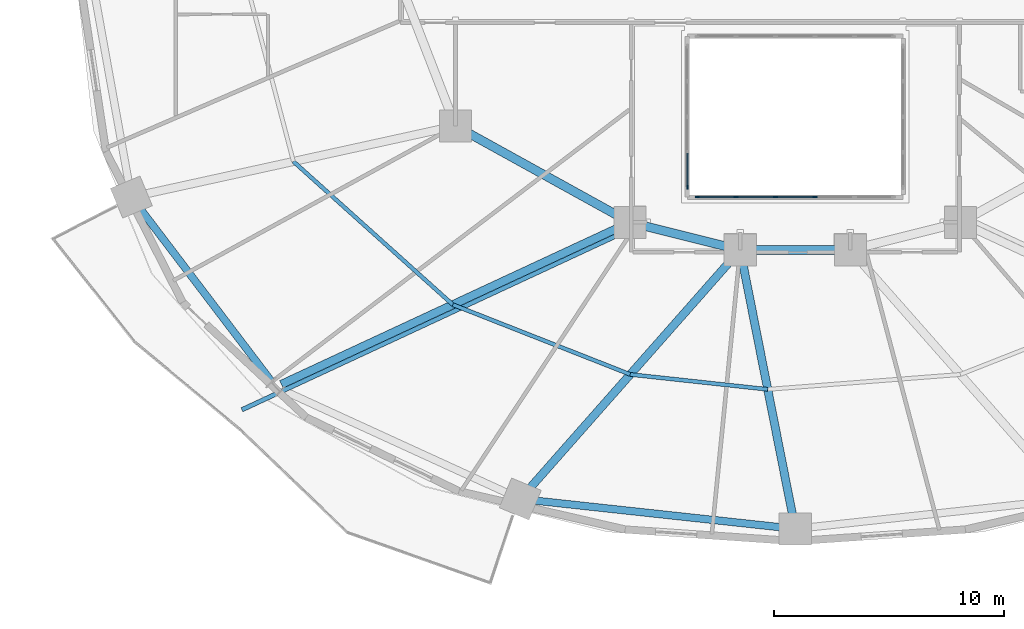
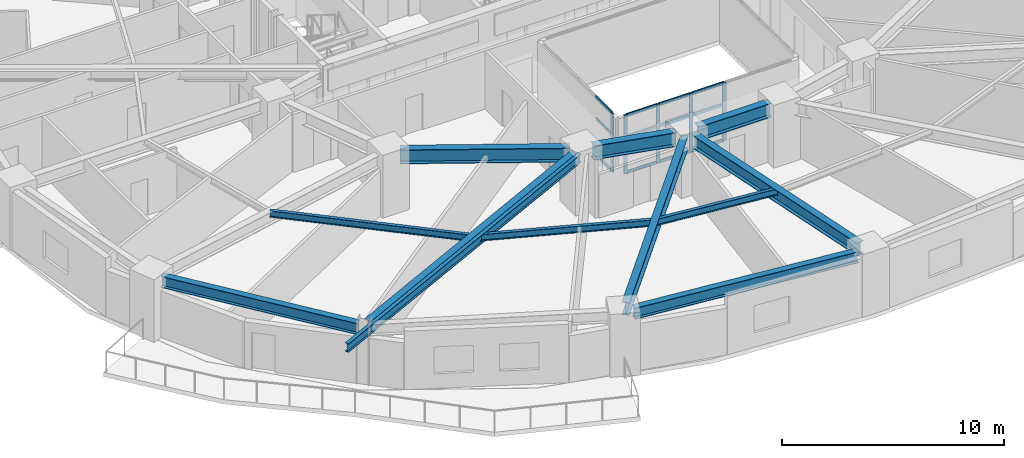
# One storey, part 3 of 17: 17 members, 12 beams, 2 elements without a shape of their own.
"""IFC4 building model written with IfcOpenShell, lengths in metres."""

from ifc_helpers import new_model, si_unit, direction, frame, origin, origin_2d, place, context, subcontext, project, spatial, rectangle, i_section, extrude, material, material_profile, profile_set, type_object, element, aggregate, save


model = new_model("IFC4")

# Units and contexts
model_context = context("Model", 3, precision=1e-05, world=origin(), true_north=direction((0.0, 1.0)))
body_context = subcontext(model_context, "Body", "Model", "MODEL_VIEW")
ifc_project = project(units=[si_unit("LENGTHUNIT", "METRE"), si_unit("AREAUNIT", "SQUARE_METRE"), si_unit("VOLUMEUNIT", "CUBIC_METRE"), si_unit("PLANEANGLEUNIT", "RADIAN"), si_unit("MASSUNIT", "GRAM", prefix="KILO")], contexts=[model_context])

# Site, building, storey
site_placement = place(None, origin())
site = spatial("IfcSite", under=ifc_project, at=site_placement, CompositionType="ELEMENT")
building_placement = place(site_placement, origin())
building = spatial("IfcBuilding", under=site, at=building_placement, Name="Haldorwick Loom Tower", CompositionType="ELEMENT")
storey_placement = place(building_placement, frame((0.0, 0.0, 44.699951171875)))
storey = spatial("IfcBuildingStorey", under=building, at=storey_placement, Name="L11", CompositionType="ELEMENT", Elevation=44.699951171875)

# Curtain wall, members
ifc_material_1 = material(Name="Thermally Broken Anodized Aluminium Curtain Wall Framing", Category="aluminium")
curtain_wall_type = type_object("IfcCurtainWallType", Name="ARC-CW-03", PredefinedType="NOTDEFINED", material=ifc_material_1)
curtain_wall_1_placement = place(storey_placement, origin())
curtain_wall_1 = element("IfcCurtainWall", 1, at=curtain_wall_1_placement, inside=storey, type_object=curtain_wall_type, Name="L11 Atrium Glazed Screen S", PredefinedType="NOTDEFINED")
ifc_material_profile_1 = material_profile(ifc_material_1, rectangle(XDim=0.06591796875, YDim=0.18505859375, at=origin_2d()), Name="ALU_MUL_66X185", Category="aluminium")
ifc_profile_set_1 = profile_set([ifc_material_profile_1], Name="Thermally Broken Anodized Aluminium Curtain Wall Framing")
member_type_1 = type_object("IfcMemberType", Name="ARC-CWM-03", PredefinedType="MULLION", material=ifc_profile_set_1)
member_1_placement = place(storey_placement, frame((36.860107421875, 16.699951171875, 0.0), z_axis=(0.0, 0.0, 1.0), x_axis=(0.0, -1.0, 0.0)))
member_1 = element("IfcMember", 2, at=member_1_placement, type_object=member_type_1, Name="CW-03 mullion 3", PredefinedType="MULLION", context=body_context, shape_type="SweptSolid", body=[
    extrude(rectangle(XDim=0.06591796875, YDim=0.18505859375, at=origin_2d()), origin(), (0.0, 0.0, 1.0), 3.2099609375),
])
member_2_placement = place(storey_placement, frame((35.139892578125, 16.699951171875, 0.0), z_axis=(0.0, 0.0, 1.0), x_axis=(0.0, -1.0, 0.0)))
member_2 = element("IfcMember", 3, at=member_2_placement, type_object=member_type_1, Name="CW-03 mullion 4", PredefinedType="MULLION", context=body_context, shape_type="SweptSolid", body=[
    extrude(rectangle(XDim=0.06591796875, YDim=0.18505859375, at=origin_2d()), origin(), (0.0, 0.0, 1.0), 3.2099609375),
])
member_3_placement = place(storey_placement, frame((33.419921875, 16.699951171875, 0.0), z_axis=(0.0, 0.0, 1.0), x_axis=(0.0, -1.0, 0.0)))
member_3 = element("IfcMember", 4, at=member_3_placement, type_object=member_type_1, Name="CW-03 mullion 5", PredefinedType="MULLION", context=body_context, shape_type="SweptSolid", body=[
    extrude(rectangle(XDim=0.06591796875, YDim=0.18505859375, at=origin_2d()), origin(), (0.0, 0.0, 1.0), 3.2099609375),
])
member_4_placement = place(storey_placement, frame((31.73291015625, 16.699951171875, 0.0), z_axis=(0.0, 0.0, 1.0), x_axis=(0.0, -1.0, 0.0)))
member_4 = element("IfcMember", 5, at=member_4_placement, type_object=member_type_1, Name="CW-03 mullion 6", PredefinedType="MULLION", context=body_context, shape_type="SweptSolid", body=[
    extrude(rectangle(XDim=0.06591796875, YDim=0.18505859375, at=origin_2d()), origin(), (0.0, 0.0, 1.0), 3.2099609375),
])

# Curtain wall, member
curtain_wall_2_placement = place(storey_placement, origin())
curtain_wall_2 = element("IfcCurtainWall", 6, at=curtain_wall_2_placement, inside=storey, type_object=curtain_wall_type, Name="L11 Atrium Glazed Screen W", PredefinedType="NOTDEFINED")
member_5_placement = place(storey_placement, frame((31.300048828125, 17.133056640625, 0.0), z_axis=(0.0, 0.0, 1.0), x_axis=(-1.0, 0.0, 0.0)))
member_5 = element("IfcMember", 7, at=member_5_placement, type_object=member_type_1, Name="CW-03 mullion 1", PredefinedType="MULLION", context=body_context, shape_type="SweptSolid", body=[
    extrude(rectangle(XDim=0.06591796875, YDim=0.18505859375, at=origin_2d()), origin(), (0.0, 0.0, 1.0), 3.2099609375),
])

# Member
ifc_material_profile_2 = material_profile(ifc_material_1, rectangle(XDim=0.06591796875, YDim=0.1650390625, at=origin_2d()), Name="ALU_TRN_66X165", Category="aluminium")
ifc_profile_set_2 = profile_set([ifc_material_profile_2], Name="Thermally Broken Anodized Aluminium Curtain Wall Framing")
member_type_2 = type_object("IfcMemberType", Name="ARC-CWT-03", PredefinedType="USERDEFINED", material=ifc_profile_set_2)
member_6_placement = place(storey_placement, frame((36.826904296875, 16.699951171875, 0.032958984375), z_axis=(-1.0, 0.0, 0.0), x_axis=(0.0, -1.0, 0.0)))
member_6 = element("IfcMember", 8, at=member_6_placement, type_object=member_type_2, Name="CW-03 transom 3.1", ObjectType="TRANSOM", PredefinedType="USERDEFINED", context=body_context, shape_type="SweptSolid", body=[
    extrude(rectangle(XDim=0.06591796875, YDim=0.1650390625, at=origin_2d()), origin(), (0.0, 0.0, 1.0), 1.65380859375),
])

member_7_placement = place(storey_placement, frame((36.826904296875, 16.699951171875, 2.0), z_axis=(-1.0, 0.0, 0.0), x_axis=(0.0, -1.0, 0.0)))
member_7 = element("IfcMember", 9, at=member_7_placement, type_object=member_type_2, Name="CW-03 transom 3.2", ObjectType="TRANSOM", PredefinedType="USERDEFINED", context=body_context, shape_type="SweptSolid", body=[
    extrude(rectangle(XDim=0.06591796875, YDim=0.1650390625, at=origin_2d()), origin(), (0.0, 0.0, 1.0), 1.65380859375),
])

member_8_placement = place(storey_placement, frame((36.826904296875, 16.699951171875, 3.177001953125), z_axis=(-1.0, 0.0, 0.0), x_axis=(0.0, -1.0, 0.0)))
member_8 = element("IfcMember", 10, at=member_8_placement, type_object=member_type_2, Name="CW-03 transom 3.3", ObjectType="TRANSOM", PredefinedType="USERDEFINED", context=body_context, shape_type="SweptSolid", body=[
    extrude(rectangle(XDim=0.06591796875, YDim=0.1650390625, at=origin_2d()), origin(), (0.0, 0.0, 1.0), 1.65380859375),
])

member_9_placement = place(storey_placement, frame((35.10693359375, 16.699951171875, 0.032958984375), z_axis=(-1.0, 0.0, 0.0), x_axis=(0.0, -1.0, 0.0)))
member_9 = element("IfcMember", 11, at=member_9_placement, type_object=member_type_2, Name="CW-03 transom 4.1", ObjectType="TRANSOM", PredefinedType="USERDEFINED", context=body_context, shape_type="SweptSolid", body=[
    extrude(rectangle(XDim=0.06591796875, YDim=0.1650390625, at=origin_2d()), origin(), (0.0, 0.0, 1.0), 1.654052734375),
])

member_10_placement = place(storey_placement, frame((35.10693359375, 16.699951171875, 2.0), z_axis=(-1.0, 0.0, 0.0), x_axis=(0.0, -1.0, 0.0)))
member_10 = element("IfcMember", 12, at=member_10_placement, type_object=member_type_2, Name="CW-03 transom 4.2", ObjectType="TRANSOM", PredefinedType="USERDEFINED", context=body_context, shape_type="SweptSolid", body=[
    extrude(rectangle(XDim=0.06591796875, YDim=0.1650390625, at=origin_2d()), origin(), (0.0, 0.0, 1.0), 1.654052734375),
])

member_11_placement = place(storey_placement, frame((35.10693359375, 16.699951171875, 3.177001953125), z_axis=(-1.0, 0.0, 0.0), x_axis=(0.0, -1.0, 0.0)))
member_11 = element("IfcMember", 13, at=member_11_placement, type_object=member_type_2, Name="CW-03 transom 4.3", ObjectType="TRANSOM", PredefinedType="USERDEFINED", context=body_context, shape_type="SweptSolid", body=[
    extrude(rectangle(XDim=0.06591796875, YDim=0.1650390625, at=origin_2d()), origin(), (0.0, 0.0, 1.0), 1.654052734375),
])

member_12_placement = place(storey_placement, frame((33.386962890625, 16.699951171875, 0.032958984375), z_axis=(-1.0, 0.0, 0.0), x_axis=(0.0, -1.0, 0.0)))
member_12 = element("IfcMember", 14, at=member_12_placement, type_object=member_type_2, Name="CW-03 transom 5.1", ObjectType="TRANSOM", PredefinedType="USERDEFINED", context=body_context, shape_type="SweptSolid", body=[
    extrude(rectangle(XDim=0.06591796875, YDim=0.1650390625, at=origin_2d()), origin(), (0.0, 0.0, 1.0), 1.620849609375),
])

member_13_placement = place(storey_placement, frame((33.386962890625, 16.699951171875, 2.0), z_axis=(-1.0, 0.0, 0.0), x_axis=(0.0, -1.0, 0.0)))
member_13 = element("IfcMember", 15, at=member_13_placement, type_object=member_type_2, Name="CW-03 transom 5.2", ObjectType="TRANSOM", PredefinedType="USERDEFINED", context=body_context, shape_type="SweptSolid", body=[
    extrude(rectangle(XDim=0.06591796875, YDim=0.1650390625, at=origin_2d()), origin(), (0.0, 0.0, 1.0), 1.620849609375),
])

member_14_placement = place(storey_placement, frame((33.386962890625, 16.699951171875, 3.177001953125), z_axis=(-1.0, 0.0, 0.0), x_axis=(0.0, -1.0, 0.0)))
member_14 = element("IfcMember", 16, at=member_14_placement, type_object=member_type_2, Name="CW-03 transom 5.3", ObjectType="TRANSOM", PredefinedType="USERDEFINED", context=body_context, shape_type="SweptSolid", body=[
    extrude(rectangle(XDim=0.06591796875, YDim=0.1650390625, at=origin_2d()), origin(), (0.0, 0.0, 1.0), 1.620849609375),
])

aggregate(curtain_wall_1, [member_1, member_2, member_3, member_4, member_6, member_7, member_8, member_9, member_10, member_11, member_12, member_13, member_14])

member_15_placement = place(storey_placement, frame((31.300048828125, 17.166015625, 0.032958984375), z_axis=(0.0, 1.0, 0.0), x_axis=(-1.0, 0.0, 0.0)))
member_15 = element("IfcMember", 17, at=member_15_placement, type_object=member_type_2, Name="CW-03 transom 1.1", ObjectType="TRANSOM", PredefinedType="USERDEFINED", context=body_context, shape_type="SweptSolid", body=[
    extrude(rectangle(XDim=0.06591796875, YDim=0.1650390625, at=origin_2d()), origin(), (0.0, 0.0, 1.0), 1.450927734375),
])

member_16_placement = place(storey_placement, frame((31.300048828125, 17.166015625, 2.0), z_axis=(0.0, 1.0, 0.0), x_axis=(-1.0, 0.0, 0.0)))
member_16 = element("IfcMember", 18, at=member_16_placement, type_object=member_type_2, Name="CW-03 transom 1.2", ObjectType="TRANSOM", PredefinedType="USERDEFINED", context=body_context, shape_type="SweptSolid", body=[
    extrude(rectangle(XDim=0.06591796875, YDim=0.1650390625, at=origin_2d()), origin(), (0.0, 0.0, 1.0), 1.450927734375),
])

member_17_placement = place(storey_placement, frame((31.300048828125, 17.166015625, 3.177001953125), z_axis=(0.0, 1.0, 0.0), x_axis=(-1.0, 0.0, 0.0)))
member_17 = element("IfcMember", 19, at=member_17_placement, type_object=member_type_2, Name="CW-03 transom 1.3", ObjectType="TRANSOM", PredefinedType="USERDEFINED", context=body_context, shape_type="SweptSolid", body=[
    extrude(rectangle(XDim=0.06591796875, YDim=0.1650390625, at=origin_2d()), origin(), (0.0, 0.0, 1.0), 1.450927734375),
])

aggregate(curtain_wall_2, [member_5, member_15, member_16, member_17])

# Beams
ifc_material_2 = material(Name="Steel CSA G40.21 350W", Category="steel")
ifc_material_profile_3 = material_profile(ifc_material_2, i_section(OverallWidth=0.193115234375, OverallDepth=0.466064453125, WebThickness=0.011474609375, FlangeThickness=0.01904296875, at=origin_2d()), Name="W460X97", Category="steel")
ifc_profile_set_3 = profile_set([ifc_material_profile_3], Name="Steel CSA G40.21 350W")
beam_type_1 = type_object("IfcBeamType", Name="STR-BM-BAL460", PredefinedType="BEAM", material=ifc_profile_set_3)
beam_1_placement = place(storey_placement, frame((28.446533203125, 15.126953125, 2.97705078125), z_axis=(-0.906840784049, -0.421473359047, 0.0), x_axis=(0.421473359047, -0.906840784049, 0.0)))
element("IfcBeam", 20, at=beam_1_placement, inside=storey, type_object=beam_type_1, Name="L11 Continuous Back-Spanned Balcony Beam 2", PredefinedType="BEAM", context=body_context, shape_type="SweptSolid", body=[
    extrude(i_section(OverallWidth=0.193115234375, OverallDepth=0.466064453125, WebThickness=0.011474609375, FlangeThickness=0.01904296875, at=origin_2d()), origin(), (0.0, 0.0, 1.0), 18.245361328125),
])
ifc_material_profile_4 = material_profile(ifc_material_2, i_section(OverallWidth=0.172119140625, OverallDepth=0.35791015625, WebThickness=0.0078125, FlangeThickness=0.01318359375, at=origin_2d()), Name="W360X57", Category="steel")
ifc_profile_set_4 = profile_set([ifc_material_profile_4], Name="Steel CSA G40.21 350W")
beam_type_2 = type_object("IfcBeamType", Name="STR-BM-J360", PredefinedType="JOIST", material=ifc_profile_set_4)
beam_2_placement = place(storey_placement, frame((14.141357421875, 18.25048828125, 3.031005859375), z_axis=(0.743981830112, -0.668199847698, 0.0), x_axis=(0.668199847698, 0.743981830112, 0.0)))
element("IfcBeam", 21, at=beam_2_placement, inside=storey, type_object=beam_type_2, Name="L11 Mid-Bay Secondary Joist 10", PredefinedType="JOIST", context=body_context, shape_type="SweptSolid", body=[
    extrude(i_section(OverallWidth=0.172119140625, OverallDepth=0.35791015625, WebThickness=0.0078125, FlangeThickness=0.01318359375, at=origin_2d()), origin(), (0.0, 0.0, 1.0), 9.3330078125),
])
beam_3_placement = place(storey_placement, frame((21.0849609375, 12.01416015625, 3.031005859375), z_axis=(0.930584838237, -0.366076301941, 0.0), x_axis=(0.366076301941, 0.930584838237, 0.0)))
element("IfcBeam", 22, at=beam_3_placement, inside=storey, type_object=beam_type_2, Name="L11 Mid-Bay Secondary Joist 11", PredefinedType="JOIST", context=body_context, shape_type="SweptSolid", body=[
    extrude(i_section(OverallWidth=0.172119140625, OverallDepth=0.35791015625, WebThickness=0.0078125, FlangeThickness=0.01318359375, at=origin_2d()), origin(), (0.0, 0.0, 1.0), 8.302490234375),
])
beam_4_placement = place(storey_placement, frame((28.81103515625, 8.974853515625, 3.031005859375), z_axis=(0.994163660215, -0.107882420753, 0.0), x_axis=(0.107882420753, 0.994163660215, 0.0)))
element("IfcBeam", 23, at=beam_4_placement, inside=storey, type_object=beam_type_2, Name="L11 Mid-Bay Secondary Joist 12", PredefinedType="JOIST", context=body_context, shape_type="SweptSolid", body=[
    extrude(i_section(OverallWidth=0.172119140625, OverallDepth=0.35791015625, WebThickness=0.0078125, FlangeThickness=0.01318359375, at=origin_2d()), origin(), (0.0, 0.0, 1.0), 6.024169921875),
])
ifc_material_profile_5 = material_profile(ifc_material_2, i_section(OverallWidth=0.324951171875, OverallDepth=0.615966796875, WebThickness=0.013916015625, FlangeThickness=0.021484375, at=origin_2d()), Name="W610X174", Category="steel")
ifc_profile_set_5 = profile_set([ifc_material_profile_5], Name="Steel CSA G40.21 350W")
beam_type_3 = type_object("IfcBeamType", Name="STR-BM-SP610", PredefinedType="SPANDREL", material=ifc_profile_set_5)
beam_5_placement = place(storey_placement, frame((7.397216796875, 16.286865234375, 2.902099609375), z_axis=(0.605084557744, -0.796161213562, 0.0), x_axis=(0.796161213562, 0.605084557744, 0.0)))
element("IfcBeam", 24, at=beam_5_placement, inside=storey, type_object=beam_type_3, Name="L11 Perimeter Spandrel 10", PredefinedType="SPANDREL", context=body_context, shape_type="SweptSolid", body=[
    extrude(i_section(OverallWidth=0.324951171875, OverallDepth=0.615966796875, WebThickness=0.013916015625, FlangeThickness=0.021484375, at=origin_2d()), origin(), (0.0, 0.0, 1.0), 9.595703125),
])
beam_6_placement = place(storey_placement, frame((24.5390625, 3.49365234375, 2.902099609375), z_axis=(0.994164438636, -0.107875247167, 0.0), x_axis=(0.107875247167, 0.994164438636, 0.0)))
element("IfcBeam", 25, at=beam_6_placement, inside=storey, type_object=beam_type_3, Name="L11 Perimeter Spandrel 12", PredefinedType="SPANDREL", context=body_context, shape_type="SweptSolid", body=[
    extrude(i_section(OverallWidth=0.324951171875, OverallDepth=0.615966796875, WebThickness=0.013916015625, FlangeThickness=0.021484375, at=origin_2d()), origin(), (0.0, 0.0, 1.0), 11.008056640625),
])
ifc_material_profile_6 = material_profile(ifc_material_2, i_section(OverallWidth=0.35498046875, OverallDepth=0.695068359375, WebThickness=0.015380859375, FlangeThickness=0.02490234375, at=origin_2d()), Name="W690X217", Category="steel")
ifc_profile_set_6 = profile_set([ifc_material_profile_6], Name="Steel CSA G40.21 350W")
beam_type_4 = type_object("IfcBeamType", Name="STR-BM-W690", PredefinedType="BEAM", material=ifc_profile_set_6)
beam_7_placement = place(storey_placement, frame((28.328369140625, 15.380859375, 2.862548828125), z_axis=(-0.90683498532, -0.421485835349, 0.0), x_axis=(0.421485835349, -0.90683498532, 0.0)))
element("IfcBeam", 26, at=beam_7_placement, inside=storey, type_object=beam_type_4, Name="L11 Radial Floor Girder 11", PredefinedType="BEAM", context=body_context, shape_type="SweptSolid", body=[
    extrude(i_section(OverallWidth=0.35498046875, OverallDepth=0.695068359375, WebThickness=0.015380859375, FlangeThickness=0.02490234375, at=origin_2d()), origin(), (0.0, 0.0, 1.0), 16.220458984375),
])
beam_8_placement = place(storey_placement, frame((33.255859375, 14.01025390625, 2.862548828125), z_axis=(-0.661774304332, -0.749703121326, 0.0), x_axis=(0.749703121326, -0.661774304332, 0.0)))
element("IfcBeam", 27, at=beam_8_placement, inside=storey, type_object=beam_type_4, Name="L11 Radial Floor Girder 12", PredefinedType="BEAM", context=body_context, shape_type="SweptSolid", body=[
    extrude(i_section(OverallWidth=0.35498046875, OverallDepth=0.695068359375, WebThickness=0.015380859375, FlangeThickness=0.02490234375, at=origin_2d()), origin(), (0.0, 0.0, 1.0), 13.43310546875),
])
beam_9_placement = place(storey_placement, frame((33.70068359375, 13.889892578125, 2.862548828125), z_axis=(0.193785651115, -0.981043893729, 0.0), x_axis=(0.981043893729, 0.193785651115, 0.0)))
element("IfcBeam", 28, at=beam_9_placement, inside=storey, type_object=beam_type_4, Name="L11 Radial Floor Girder 13", PredefinedType="BEAM", context=body_context, shape_type="SweptSolid", body=[
    extrude(i_section(OverallWidth=0.35498046875, OverallDepth=0.695068359375, WebThickness=0.015380859375, FlangeThickness=0.02490234375, at=origin_2d()), origin(), (0.0, 0.0, 1.0), 11.344970703125),
])
ifc_material_profile_7 = material_profile(ifc_material_2, i_section(OverallWidth=0.381103515625, OverallDepth=0.77294921875, WebThickness=0.0166015625, FlangeThickness=0.027587890625, at=origin_2d()), Name="W760X257", Category="steel")
ifc_profile_set_7 = profile_set([ifc_material_profile_7], Name="Steel CSA G40.21 350W")
beam_type_5 = type_object("IfcBeamType", Name="STR-BM-W760", PredefinedType="BEAM", material=ifc_profile_set_7)
beam_10_placement = place(storey_placement, frame((37.8798828125, 14.39990234375, 2.823486328125), z_axis=(-1.0, 0.0, 0.0), x_axis=(0.0, -1.0, 0.0)))
element("IfcBeam", 29, at=beam_10_placement, inside=storey, type_object=beam_type_5, Name="L11 Inner Ring Girder 5", PredefinedType="BEAM", context=body_context, shape_type="SweptSolid", body=[
    extrude(i_section(OverallWidth=0.381103515625, OverallDepth=0.77294921875, WebThickness=0.0166015625, FlangeThickness=0.027587890625, at=origin_2d()), origin(), (0.0, 0.0, 1.0), 3.759765625),
])
beam_11_placement = place(storey_placement, frame((33.095458984375, 14.526123046875, 2.823486328125), z_axis=(-0.970142500145, 0.242535625036, 0.0), x_axis=(-0.242535625036, -0.970142500145, 0.0)))
element("IfcBeam", 30, at=beam_11_placement, inside=storey, type_object=beam_type_5, Name="L11 Inner Ring Girder 6", PredefinedType="BEAM", context=body_context, shape_type="SweptSolid", body=[
    extrude(i_section(OverallWidth=0.381103515625, OverallDepth=0.77294921875, WebThickness=0.0166015625, FlangeThickness=0.027587890625, at=origin_2d()), origin(), (0.0, 0.0, 1.0), 3.90771484375),
])
beam_12_placement = place(storey_placement, frame((28.344970703125, 15.8515625, 2.823486328125), z_axis=(-0.875244382146, 0.483680960471, 0.0), x_axis=(-0.483680960471, -0.875244382146, 0.0)))
element("IfcBeam", 31, at=beam_12_placement, inside=storey, type_object=beam_type_5, Name="L11 Inner Ring Girder 7", PredefinedType="BEAM", context=body_context, shape_type="SweptSolid", body=[
    extrude(i_section(OverallWidth=0.381103515625, OverallDepth=0.77294921875, WebThickness=0.0166015625, FlangeThickness=0.027587890625, at=origin_2d()), origin(), (0.0, 0.0, 1.0), 7.6435546875),
])

save(model, "model.ifc")
